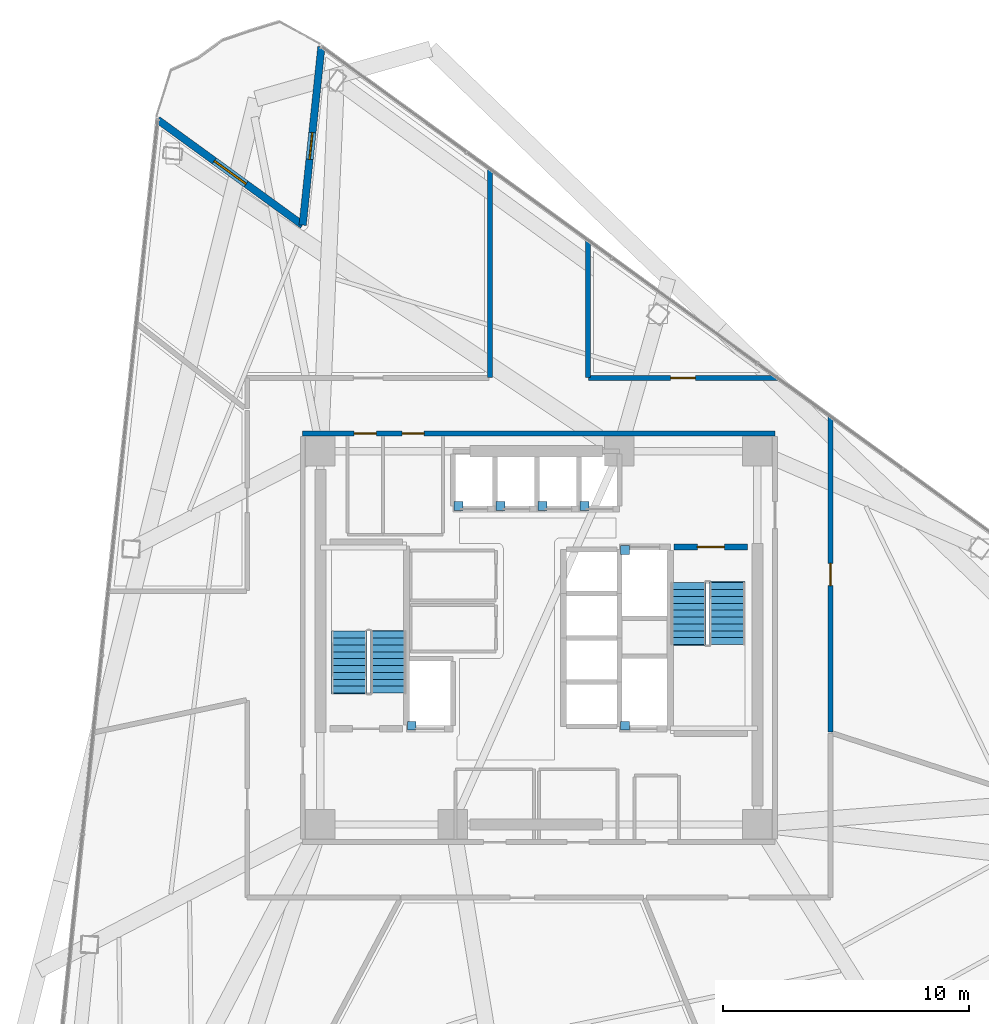
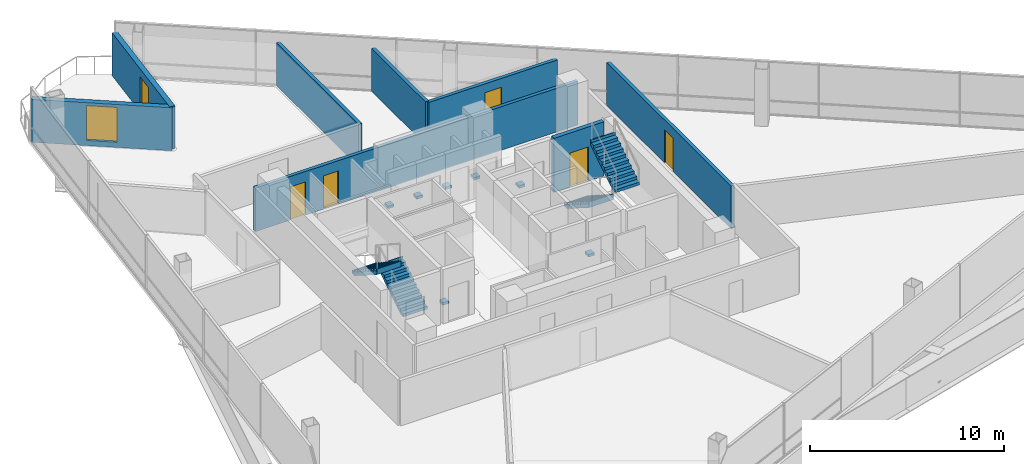
# One storey, part 13 of 17: 8 walls, 7 discrete accessories, 6 doors, 4 stair flights, 1 window, 7 openings, 2 elements without a shape of their own.
"""IFC4 building model written with IfcOpenShell, lengths in metres."""

from ifc_helpers import new_model, si_unit, direction, frame, frame_2d, origin, origin_2d, place, context, subcontext, project, spatial, polyline, rectangle, outline, extrude, material, layer, layer_set, type_object, element, fill, aggregate, save


model = new_model("IFC4")

# Units and contexts
model_context = context("Model", 3, precision=1e-05, world=origin(), true_north=direction((0.0, 1.0)))
body_context = subcontext(model_context, "Body", "Model", "MODEL_VIEW")
ifc_project = project(units=[si_unit("LENGTHUNIT", "METRE"), si_unit("AREAUNIT", "SQUARE_METRE"), si_unit("VOLUMEUNIT", "CUBIC_METRE"), si_unit("PLANEANGLEUNIT", "RADIAN"), si_unit("MASSUNIT", "GRAM", prefix="KILO")], contexts=[model_context])

# Site, building, storey
site_placement = place(None, origin())
site = spatial("IfcSite", under=ifc_project, at=site_placement, CompositionType="ELEMENT")
building_placement = place(site_placement, origin())
building = spatial("IfcBuilding", under=site, at=building_placement, Name="Tharavind Bronze Gate", CompositionType="ELEMENT")
storey_placement = place(building_placement, frame((0.0, 0.0, 112.449951171875)))
storey = spatial("IfcBuildingStorey", under=building, at=storey_placement, Name="L28", CompositionType="ELEMENT", Elevation=112.449951171875)

# Wall, opening, door
ifc_material_1 = material(Name="Concrete C40/50", Category="concrete")
ifc_layer_1 = layer(ifc_material_1, 0.300048828125)
ifc_layer_set_1 = layer_set([ifc_layer_1], Name="Concrete C40/50")
wall_type_1 = type_object("IfcWallType", Name="EXTERIOR SPANDREL WALL 300", PredefinedType="STANDARD", material=ifc_layer_set_1)
wall_1_placement = place(storey_placement, frame((-8.85888671875, 24.07080078125, 0.0), z_axis=(0.0, 0.0, 1.0), x_axis=(-0.104512431924, -0.9945235802, 0.0)))
wall_1 = element("IfcWall", 1, at=wall_1_placement, inside=storey, type_object=wall_type_1, Name="L28 notch cheek wall 1A", PredefinedType="STANDARD", context=body_context, shape_type="SweptSolid", body=[
    extrude(rectangle(XDim=7.300048828125, YDim=0.300048828125, at=frame_2d((3.64990234375, 0.0))), origin(), (0.0, 0.0, 1.0), 2.705078125),
])
opening_1_placement = place(wall_1_placement, frame((3.508056640625, 0.0, 0.0)))
opening_1 = element("IfcOpeningElement", 2, at=opening_1_placement, cuts=wall_1, Name="Opening ED04", PredefinedType="OPENING", context=body_context, shape_type="SweptSolid", body=[
    extrude(rectangle(XDim=1.10009765625, YDim=2.199951171875, at=frame_2d((0.550048828125, 1.10009765625))), frame((0.0, 0.15990234375, 0.0), z_axis=(0.0, -1.0, 0.0), x_axis=(1.0, 0.0, 0.0)), (0.0, 0.0, 1.0), 0.320048828125),
])
ifc_material_2 = material(Name="Bronze Aluminium & Toughened Glass", Category="aluminium")
door_type_1 = type_object("IfcDoorType", Name="TREE BALCONY ACCESS DOOR 1100X2200", OperationType="SINGLE_SWING_LEFT", PredefinedType="DOOR", material=ifc_material_2)
door_1_placement = place(opening_1_placement, origin())
door_1 = element("IfcDoor", 3, at=door_1_placement, inside=storey, type_object=door_type_1, Name="L28 tree balcony access door", OperationType="SINGLE_SWING_LEFT", OverallHeight=2.199951171875, OverallWidth=1.10009765625, PredefinedType="DOOR", context=body_context, shape_type="SweptSolid", body=[
    extrude(rectangle(XDim=1.10009765625, YDim=2.199951171875, at=frame_2d((0.550048828125, 1.10009765625))), frame((0.0, 0.02490234375, 0.0), z_axis=(0.0, -1.0, 0.0), x_axis=(1.0, 0.0, 0.0)), (0.0, 0.0, 1.0), 0.050048828125),
])
fill(opening_1, door_1)

# Wall, opening, window
wall_2_placement = place(storey_placement, frame((-9.621826171875, 16.810791015625, 0.0), z_axis=(0.0, 0.0, 1.0), x_axis=(-0.809002104592, 0.587805745775, 0.0)))
wall_2 = element("IfcWall", 4, at=wall_2_placement, inside=storey, type_object=wall_type_1, Name="L28 notch cheek wall 1B", PredefinedType="STANDARD", context=body_context, shape_type="SweptSolid", body=[
    extrude(rectangle(XDim=7.300048828125, YDim=0.300048828125, at=frame_2d((3.64990234375, 0.0))), origin(), (0.0, 0.0, 1.0), 2.705078125),
])
opening_2_placement = place(wall_2_placement, frame((2.85009765625, 0.0, 0.324951171875)))
opening_2 = element("IfcOpeningElement", 5, at=opening_2_placement, cuts=wall_2, Name="Opening W05", PredefinedType="OPENING", context=body_context, shape_type="SweptSolid", body=[
    extrude(rectangle(XDim=1.60009765625, YDim=2.199951171875, at=frame_2d((0.800048828125, 1.10009765625))), frame((0.0, 0.15990234375, 0.0), z_axis=(0.0, -1.0, 0.0), x_axis=(1.0, 0.0, 0.0)), (0.0, 0.0, 1.0), 0.320048828125),
])
ifc_material_3 = material(Name="Bronze Aluminium & Low-E Glass", Category="aluminium")
window_type = type_object("IfcWindowType", Name="OFFICE NOTCH BRONZE WINDOW 1600X2200", PartitioningType="DOUBLE_PANEL_VERTICAL", PredefinedType="WINDOW", material=ifc_material_3)
window_placement = place(opening_2_placement, origin())
window = element("IfcWindow", 6, at=window_placement, inside=storey, type_object=window_type, Name="L28 exterior window WL-L28-NCB1-01", OverallHeight=2.199951171875, OverallWidth=1.60009765625, PartitioningType="SINGLE_PANEL", PredefinedType="WINDOW", context=body_context, shape_type="SweptSolid", body=[
    extrude(rectangle(XDim=1.60009765625, YDim=2.199951171875, at=frame_2d((0.800048828125, 1.10009765625))), frame((0.0, 0.030029296875, 0.0), z_axis=(0.0, -1.0, 0.0), x_axis=(1.0, 0.0, 0.0)), (0.0, 0.0, 1.0), 0.06005859375),
])
fill(opening_2, window)

# Wall, openings, doors
ifc_material_4 = material(Name="Aerated Concrete Block", Category="concrete")
ifc_layer_2 = layer(ifc_material_4, 0.199951171875)
ifc_layer_set_2 = layer_set([ifc_layer_2], Name="Aerated Concrete Block")
wall_type_2 = type_object("IfcWallType", Name="FIRE RATED PARTITION 200", PredefinedType="PARTITIONING", material=ifc_layer_set_2)
wall_3_placement = place(storey_placement, frame((9.6201171875, 8.320068359375, 0.0), z_axis=(0.0, 0.0, 1.0), x_axis=(-1.0, 0.0, 0.0)))
wall_3 = element("IfcWall", 7, at=wall_3_placement, inside=storey, type_object=wall_type_2, Name="L28 north core corridor wall", PredefinedType="PARTITIONING", context=body_context, shape_type="SweptSolid", body=[
    extrude(rectangle(XDim=19.240234375, YDim=0.199951171875, at=frame_2d((9.6201171875, 0.0))), origin(), (0.0, 0.0, 1.0), 2.755126953125),
])
opening_3_placement = place(wall_3_placement, frame((16.2451171875, 0.0, 0.0)))
opening_3 = element("IfcOpeningElement", 8, at=opening_3_placement, cuts=wall_3, Name="Opening ID07", PredefinedType="OPENING", context=body_context, shape_type="SweptSolid", body=[
    extrude(rectangle(XDim=0.89990234375, YDim=2.10009765625, at=frame_2d((0.449951171875, 1.050048828125))), frame((0.0, 0.11009765625, 0.0), z_axis=(0.0, -1.0, 0.0), x_axis=(1.0, 0.0, 0.0)), (0.0, 0.0, 1.0), 0.219951171875),
])
opening_4_placement = place(wall_3_placement, frame((14.294921875, 0.0, 0.0)))
opening_4 = element("IfcOpeningElement", 9, at=opening_4_placement, cuts=wall_3, Name="Opening ID07", PredefinedType="OPENING", context=body_context, shape_type="SweptSolid", body=[
    extrude(rectangle(XDim=0.89990234375, YDim=2.10009765625, at=frame_2d((0.449951171875, 1.050048828125))), frame((0.0, 0.11009765625, 0.0), z_axis=(0.0, -1.0, 0.0), x_axis=(1.0, 0.0, 0.0)), (0.0, 0.0, 1.0), 0.219951171875),
])
ifc_material_5 = material(Name="Galvanised Fire Steel", Category="steel")
door_type_2 = type_object("IfcDoorType", Name="PLANT AND RISER FIRE DOOR 900X2100", OperationType="SINGLE_SWING_LEFT", PredefinedType="DOOR", material=ifc_material_5)
door_2_placement = place(opening_3_placement, frame((0.89990234375, 0.0, 0.0), z_axis=(0.0, 0.0, 1.0), x_axis=(-1.0, 0.0, 0.0)))
door_2 = element("IfcDoor", 10, at=door_2_placement, inside=storey, type_object=door_type_2, Name="L28 Battery Backup Cupboard fire door", OperationType="SINGLE_SWING_LEFT", OverallHeight=2.10009765625, OverallWidth=0.89990234375, PredefinedType="DOOR", context=body_context, shape_type="SweptSolid", body=[
    extrude(rectangle(XDim=0.89990234375, YDim=2.10009765625, at=frame_2d((0.449951171875, 1.050048828125))), frame((0.0, 0.02490234375, 0.0), z_axis=(0.0, -1.0, 0.0), x_axis=(1.0, 0.0, 0.0)), (0.0, 0.0, 1.0), 0.050048828125),
])
fill(opening_3, door_2)
door_3_placement = place(opening_4_placement, frame((0.89990234375, 0.0, 0.0), z_axis=(0.0, 0.0, 1.0), x_axis=(-1.0, 0.0, 0.0)))
door_3 = element("IfcDoor", 11, at=door_3_placement, inside=storey, type_object=door_type_2, Name="L28 Cleaner Store Room fire door", OperationType="SINGLE_SWING_LEFT", OverallHeight=2.10009765625, OverallWidth=0.89990234375, PredefinedType="DOOR", context=body_context, shape_type="SweptSolid", body=[
    extrude(rectangle(XDim=0.89990234375, YDim=2.10009765625, at=frame_2d((0.449951171875, 1.050048828125))), frame((0.0, 0.02490234375, 0.0), z_axis=(0.0, -1.0, 0.0), x_axis=(1.0, 0.0, 0.0)), (0.0, 0.0, 1.0), 0.050048828125),
])
fill(opening_4, door_3)

# Wall, opening, door
wall_4_placement = place(storey_placement, frame((9.7099609375, 10.580078125, 0.0), z_axis=(0.0, 0.0, 1.0), x_axis=(-1.0, 0.0, 0.0)))
wall_4 = element("IfcWall", 12, at=wall_4_placement, inside=storey, type_object=wall_type_2, Name="L28 Digital Studio Open Office partition", PredefinedType="PARTITIONING", context=body_context, shape_type="SweptSolid", body=[
    extrude(rectangle(XDim=7.68505859375, YDim=0.199951171875, at=frame_2d((3.842529296875, 0.0))), origin(), (0.0, 0.0, 1.0), 2.705078125),
])
opening_5_placement = place(wall_4_placement, frame((3.342041015625, 0.0, 0.0)))
opening_5 = element("IfcOpeningElement", 13, at=opening_5_placement, cuts=wall_4, Name="Opening ID04", PredefinedType="OPENING", context=body_context, shape_type="SweptSolid", body=[
    extrude(rectangle(XDim=1.0, YDim=2.14990234375, at=frame_2d((0.5, 1.074951171875))), frame((0.0, 0.11009765625, 0.0), z_axis=(0.0, -1.0, 0.0), x_axis=(1.0, 0.0, 0.0)), (0.0, 0.0, 1.0), 0.219951171875),
])
ifc_material_6 = material(Name="Bronze Framed Acoustic Timber", Category="wood")
door_type_3 = type_object("IfcDoorType", Name="OFFICE TENANCY DOOR 1000X2150", OperationType="SINGLE_SWING_RIGHT", PredefinedType="DOOR", material=ifc_material_6)
door_4_placement = place(opening_5_placement, origin())
door_4 = element("IfcDoor", 14, at=door_4_placement, inside=storey, type_object=door_type_3, Name="L28 Digital Studio Open Office door", OperationType="SINGLE_SWING_RIGHT", OverallHeight=2.14990234375, OverallWidth=1.0, PredefinedType="DOOR", context=body_context, shape_type="SweptSolid", body=[
    extrude(rectangle(XDim=1.0, YDim=2.14990234375, at=frame_2d((0.5, 1.074951171875))), frame((0.0, 0.02490234375, 0.0), z_axis=(0.0, -1.0, 0.0), x_axis=(1.0, 0.0, 0.0)), (0.0, 0.0, 1.0), 0.050048828125),
])
fill(opening_5, door_4)

# Walls
wall_5_placement = place(storey_placement, frame((2.0, 10.60498046875, 0.0), z_axis=(0.0, 0.0, 1.0), x_axis=(0.0, 1.0, 0.0)))
element("IfcWall", 15, at=wall_5_placement, inside=storey, type_object=wall_type_2, Name="L28 Digital Studio Open Office partition", PredefinedType="PARTITIONING", context=body_context, shape_type="SweptSolid", body=[
    extrude(rectangle(XDim=5.576416015625, YDim=0.199951171875, at=frame_2d((2.7880859375, 0.0))), origin(), (0.0, 0.0, 1.0), 2.705078125),
])
wall_6_placement = place(storey_placement, frame((-2.0, 19.087646484375, 0.0), z_axis=(0.0, 0.0, 1.0), x_axis=(0.0, -1.0, 0.0)))
element("IfcWall", 16, at=wall_6_placement, inside=storey, type_object=wall_type_2, Name="L28 Media Briefing Room partition", PredefinedType="PARTITIONING", context=body_context, shape_type="SweptSolid", body=[
    extrude(rectangle(XDim=8.482666015625, YDim=0.199951171875, at=frame_2d((4.2412109375, 0.0))), origin(), (0.0, 0.0, 1.0), 2.705078125),
])

# Wall, opening, door
wall_7_placement = place(storey_placement, frame((11.8798828125, -3.841796875, 0.0), z_axis=(0.0, 0.0, 1.0), x_axis=(0.0, 1.0, 0.0)))
wall_7 = element("IfcWall", 17, at=wall_7_placement, inside=storey, type_object=wall_type_2, Name="L28 Coffee Pantry partition", PredefinedType="PARTITIONING", context=body_context, shape_type="SweptSolid", body=[
    extrude(rectangle(XDim=12.84521484375, YDim=0.199951171875, at=frame_2d((6.422607421875, 0.0))), origin(), (0.0, 0.0, 1.0), 2.705078125),
])
opening_6_placement = place(wall_7_placement, frame((5.972900390625, 0.0, 0.0)))
opening_6 = element("IfcOpeningElement", 18, at=opening_6_placement, cuts=wall_7, Name="Opening ID07", PredefinedType="OPENING", context=body_context, shape_type="SweptSolid", body=[
    extrude(rectangle(XDim=0.89990234375, YDim=2.10009765625, at=frame_2d((0.449951171875, 1.050048828125))), frame((0.0, 0.11009765625, 0.0), z_axis=(0.0, -1.0, 0.0), x_axis=(1.0, 0.0, 0.0)), (0.0, 0.0, 1.0), 0.219951171875),
])
door_5_placement = place(opening_6_placement, origin())
door_5 = element("IfcDoor", 19, at=door_5_placement, inside=storey, type_object=door_type_2, Name="L28 Coffee Pantry door", OperationType="SINGLE_SWING_LEFT", OverallHeight=2.10009765625, OverallWidth=0.89990234375, PredefinedType="DOOR", context=body_context, shape_type="SweptSolid", body=[
    extrude(rectangle(XDim=0.89990234375, YDim=2.10009765625, at=frame_2d((0.449951171875, 1.050048828125))), frame((0.0, 0.02490234375, 0.0), z_axis=(0.0, -1.0, 0.0), x_axis=(1.0, 0.0, 0.0)), (0.0, 0.0, 1.0), 0.050048828125),
])
fill(opening_6, door_5)

ifc_material_7 = material(Name="Concrete C50/60", Category="concrete")
ifc_layer_3 = layer(ifc_material_7, 0.25)
ifc_layer_set_3 = layer_set([ifc_layer_3], Name="Concrete C50/60")
wall_type_3 = type_object("IfcWallType", Name="RC CORE SHEAR WALL 250", PredefinedType="SHEAR", material=ifc_layer_set_3)
wall_8_placement = place(storey_placement, frame((5.5, 3.699951171875, 0.0), z_axis=(0.0, 0.0, 1.0), x_axis=(1.0, 0.0, 0.0)))
wall_8 = element("IfcWall", 20, at=wall_8_placement, inside=storey, type_object=wall_type_3, Name="L28 ST2 shaft north wall", PredefinedType="SHEAR", context=body_context, shape_type="SweptSolid", body=[
    extrude(rectangle(XDim=3.0, YDim=0.25, at=frame_2d((1.5, 0.0))), origin(), (0.0, 0.0, 1.0), 3.41015625),
])
opening_7_placement = place(wall_8_placement, frame((0.949951171875, 0.0, 0.0)))
opening_7 = element("IfcOpeningElement", 21, at=opening_7_placement, cuts=wall_8, Name="Opening ID01", PredefinedType="OPENING", context=body_context, shape_type="SweptSolid", body=[
    extrude(rectangle(XDim=1.10009765625, YDim=2.14990234375, at=frame_2d((0.550048828125, 1.074951171875))), frame((0.0, 0.135, 0.0), z_axis=(0.0, -1.0, 0.0), x_axis=(1.0, 0.0, 0.0)), (0.0, 0.0, 1.0), 0.27),
])
ifc_material_8 = material(Name="Fire-Rated Steel", Category="steel")
door_type_4 = type_object("IfcDoorType", Name="STAIR CORE FIRE DOOR 1100X2150", OperationType="SINGLE_SWING_LEFT", PredefinedType="DOOR", material=ifc_material_8)
door_6_placement = place(opening_7_placement, frame((1.10009765625, 0.0, 0.0), z_axis=(0.0, 0.0, 1.0), x_axis=(-1.0, 0.0, 0.0)))
door_6 = element("IfcDoor", 22, at=door_6_placement, inside=storey, type_object=door_type_4, Name="L28 exit stair ST2 fire door", OperationType="SINGLE_SWING_LEFT", OverallHeight=2.14990234375, OverallWidth=1.10009765625, PredefinedType="DOOR", context=body_context, shape_type="SweptSolid", body=[
    extrude(rectangle(XDim=1.10009765625, YDim=2.14990234375, at=frame_2d((0.550048828125, 1.074951171875))), frame((0.0, 0.02490234375, 0.0), z_axis=(0.0, -1.0, 0.0), x_axis=(1.0, 0.0, 0.0)), (0.0, 0.0, 1.0), 0.050048828125),
])
fill(opening_7, door_6)

# Stair, stair flights
stair_type = type_object("IfcStairType", Name="CORE HALF TURN STAIR 1450", PredefinedType="HALF_TURN_STAIR", material=ifc_material_1)
stair_1_placement = place(storey_placement, origin())
stair_1 = element("IfcStair", 23, at=stair_1_placement, inside=storey, type_object=stair_type, Name="L28 Protected Exit Stair ST1", PredefinedType="HALF_TURN_STAIR")
stair_flight_type = type_object("IfcStairFlightType", Name="CORE STAIR FLIGHT 1450", PredefinedType="STRAIGHT", material=ifc_material_1)
stair_flight_1_placement = place(storey_placement, frame((-6.125, -2.25, 0.0), z_axis=(0.0, 0.0, 1.0), x_axis=(0.0, 1.0, 0.0)))
stair_flight_1 = element("IfcStairFlight", 24, at=stair_flight_1_placement, type_object=stair_flight_type, Name="ST1 flight 1", NumberOfRisers=10, NumberOfTreads=9, PredefinedType="STRAIGHT", RiserHeight=0.18, TreadLength=0.28, context=body_context, shape_type="SweptSolid", body=[
    extrude(outline(polyline([(0.0, 0.0), (0.0, 0.179931640625), (0.280029296875, 0.179931640625), (0.280029296875, 0.360107421875), (0.56005859375, 0.360107421875), (0.56005859375, 0.5400390625), (0.840087890625, 0.5400390625), (0.840087890625, 0.719970703125), (1.1201171875, 0.719970703125), (1.1201171875, 0.89990234375), (1.39990234375, 0.89990234375), (1.39990234375, 1.080078125), (1.679931640625, 1.080078125), (1.679931640625, 1.260009765625), (1.9599609375, 1.260009765625), (1.9599609375, 1.43994140625), (2.239990234375, 1.43994140625), (2.239990234375, 1.6201171875), (2.52001953125, 1.6201171875), (2.52001953125, 1.800048828125), (2.555908203125, 1.800048828125), (2.555908203125, 1.44189453125), (0.277099609375, 0.0), (0.0, 0.0)])), frame((0.0, 0.72509765625, 0.0), z_axis=(0.0, -1.0, 0.0), x_axis=(1.0, 0.0, 0.0)), (0.0, 0.0, 1.0), 1.449951171875),
])
stair_flight_2_placement = place(storey_placement, frame((-7.72509765625, 0.27001953125, 1.800048828125), z_axis=(0.0, 0.0, 1.0), x_axis=(0.0, -1.0, 0.0)))
stair_flight_2 = element("IfcStairFlight", 25, at=stair_flight_2_placement, type_object=stair_flight_type, Name="ST1 flight 2", NumberOfRisers=10, NumberOfTreads=9, PredefinedType="STRAIGHT", RiserHeight=0.18, TreadLength=0.28, context=body_context, shape_type="SweptSolid", body=[
    extrude(outline(polyline([(0.0, 0.0), (0.0, 0.179931640625), (0.280029296875, 0.179931640625), (0.280029296875, 0.360107421875), (0.56005859375, 0.360107421875), (0.56005859375, 0.5400390625), (0.840087890625, 0.5400390625), (0.840087890625, 0.719970703125), (1.1201171875, 0.719970703125), (1.1201171875, 0.89990234375), (1.39990234375, 0.89990234375), (1.39990234375, 1.080078125), (1.679931640625, 1.080078125), (1.679931640625, 1.260009765625), (1.9599609375, 1.260009765625), (1.9599609375, 1.43994140625), (2.239990234375, 1.43994140625), (2.239990234375, 1.6201171875), (2.52001953125, 1.6201171875), (2.52001953125, 1.800048828125), (2.555908203125, 1.800048828125), (2.555908203125, 1.44189453125), (0.277099609375, 0.0), (0.0, 0.0)])), frame((0.0, 0.72509765625, 0.0), z_axis=(0.0, -1.0, 0.0), x_axis=(1.0, 0.0, 0.0)), (0.0, 0.0, 1.0), 1.449951171875),
])
aggregate(stair_1, [stair_flight_1, stair_flight_2])

stair_2_placement = place(storey_placement, origin())
stair_2 = element("IfcStair", 26, at=stair_2_placement, inside=storey, type_object=stair_type, Name="L28 Protected Exit Stair ST2", PredefinedType="HALF_TURN_STAIR")
stair_flight_3_placement = place(storey_placement, frame((6.074951171875, 2.25, 0.0), z_axis=(0.0, 0.0, 1.0), x_axis=(0.0, -1.0, 0.0)))
stair_flight_3 = element("IfcStairFlight", 27, at=stair_flight_3_placement, type_object=stair_flight_type, Name="ST2 flight 1", NumberOfRisers=10, NumberOfTreads=9, PredefinedType="STRAIGHT", RiserHeight=0.18, TreadLength=0.28, context=body_context, shape_type="SweptSolid", body=[
    extrude(outline(polyline([(0.0, 0.0), (0.0, 0.179931640625), (0.280029296875, 0.179931640625), (0.280029296875, 0.360107421875), (0.56005859375, 0.360107421875), (0.56005859375, 0.5400390625), (0.840087890625, 0.5400390625), (0.840087890625, 0.719970703125), (1.1201171875, 0.719970703125), (1.1201171875, 0.89990234375), (1.39990234375, 0.89990234375), (1.39990234375, 1.080078125), (1.679931640625, 1.080078125), (1.679931640625, 1.260009765625), (1.9599609375, 1.260009765625), (1.9599609375, 1.43994140625), (2.239990234375, 1.43994140625), (2.239990234375, 1.6201171875), (2.52001953125, 1.6201171875), (2.52001953125, 1.800048828125), (2.555908203125, 1.800048828125), (2.555908203125, 1.44189453125), (0.277099609375, 0.0), (0.0, 0.0)])), frame((0.0, 0.72509765625, 0.0), z_axis=(0.0, -1.0, 0.0), x_axis=(1.0, 0.0, 0.0)), (0.0, 0.0, 1.0), 1.449951171875),
])
stair_flight_4_placement = place(storey_placement, frame((7.675048828125, -0.27001953125, 1.800048828125), z_axis=(0.0, 0.0, 1.0), x_axis=(0.0, 1.0, 0.0)))
stair_flight_4 = element("IfcStairFlight", 28, at=stair_flight_4_placement, type_object=stair_flight_type, Name="ST2 flight 2", NumberOfRisers=10, NumberOfTreads=9, PredefinedType="STRAIGHT", RiserHeight=0.18, TreadLength=0.28, context=body_context, shape_type="SweptSolid", body=[
    extrude(outline(polyline([(0.0, 0.0), (0.0, 0.179931640625), (0.280029296875, 0.179931640625), (0.280029296875, 0.360107421875), (0.56005859375, 0.360107421875), (0.56005859375, 0.5400390625), (0.840087890625, 0.5400390625), (0.840087890625, 0.719970703125), (1.1201171875, 0.719970703125), (1.1201171875, 0.89990234375), (1.39990234375, 0.89990234375), (1.39990234375, 1.080078125), (1.679931640625, 1.080078125), (1.679931640625, 1.260009765625), (1.9599609375, 1.260009765625), (1.9599609375, 1.43994140625), (2.239990234375, 1.43994140625), (2.239990234375, 1.6201171875), (2.52001953125, 1.6201171875), (2.52001953125, 1.800048828125), (2.555908203125, 1.800048828125), (2.555908203125, 1.44189453125), (0.277099609375, 0.0), (0.0, 0.0)])), frame((0.0, 0.72509765625, 0.0), z_axis=(0.0, -1.0, 0.0), x_axis=(1.0, 0.0, 0.0)), (0.0, 0.0, 1.0), 1.449951171875),
])
aggregate(stair_2, [stair_flight_3, stair_flight_4])

# Discrete accessories
ifc_material_9 = material(Name="Galvanised Steel S355", Category="steel")
discrete_accessory_type = type_object("IfcDiscreteAccessoryType", Name="LIFT GUIDE RAIL BRACKET", PredefinedType="BRACKET", material=ifc_material_9)
for number, where, z_axis, x_axis, name in (
    (29, (-3.280029296875, 5.3701171875, 1.1201171875), (0.0, 0.0, 1.0), (1.0, 0.0, 0.0), "Lift PL5 guide rail bracket at L28"),
    (30, (-1.5673828125, 5.3701171875, 1.1201171875), (0.0, 0.0, 1.0), (1.0, 0.0, 0.0), "Lift PL6 guide rail bracket at L28"),
    (31, (0.14501953125, 5.3701171875, 1.1201171875), (0.0, 0.0, 1.0), (1.0, 0.0, 0.0), "Lift PL7 guide rail bracket at L28"),
    (32, (1.857421875, 5.3701171875, 1.1201171875), (0.0, 0.0, 1.0), (1.0, 0.0, 0.0), "Lift PL8 guide rail bracket at L28"),
    (33, (-5.179931640625, -3.580078125, 1.1201171875), (0.0, 0.0, 1.0), (1.0, 0.0, 0.0), "Lift FFL1 guide rail bracket at L28"),
    (34, (3.5, 3.580078125, 1.1201171875), (0.0, 0.0, 1.0), (1.0, 0.0, 0.0), "Lift FFL2 guide rail bracket at L28"),
    (35, (3.5, -3.580078125, 1.1201171875), (0.0, 0.0, 1.0), (1.0, 0.0, 0.0), "Lift SVL1 guide rail bracket at L28"),
):
    element("IfcDiscreteAccessory", number, at=place(storey_placement, frame(where, z_axis=z_axis, x_axis=x_axis)), inside=storey, type_object=discrete_accessory_type, Name=name, PredefinedType="BRACKET", context=body_context, shape_type="SweptSolid", body=[
        extrude(rectangle(XDim=0.360107421875, YDim=0.360107421875, at=origin_2d()), origin(), (0.0, 0.0, 1.0), 0.159912109375),
    ])

save(model, "model.ifc")
